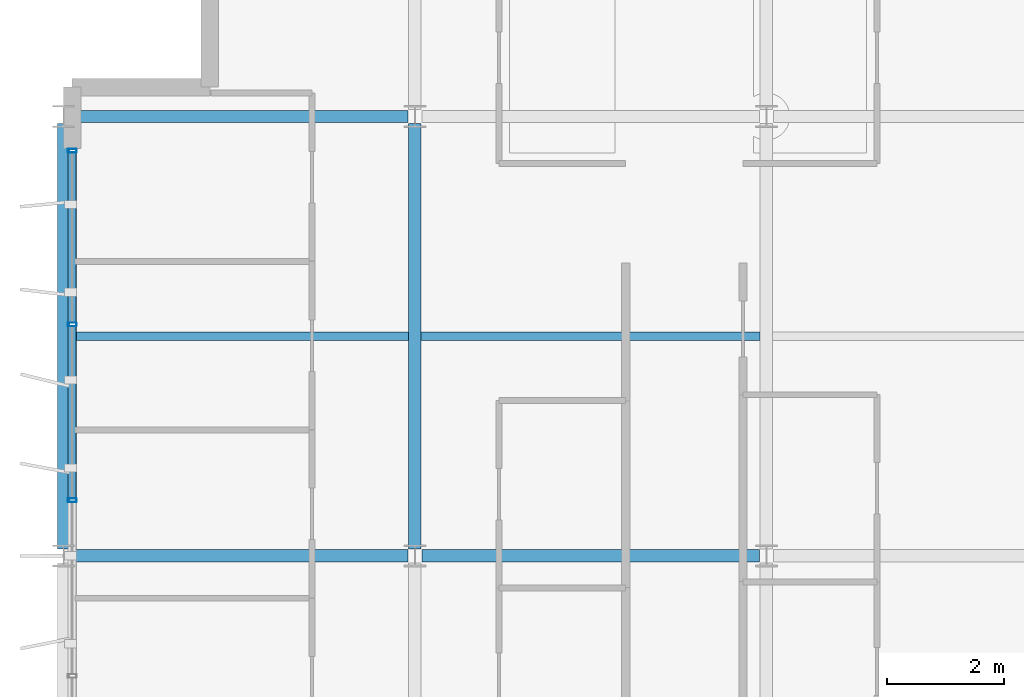
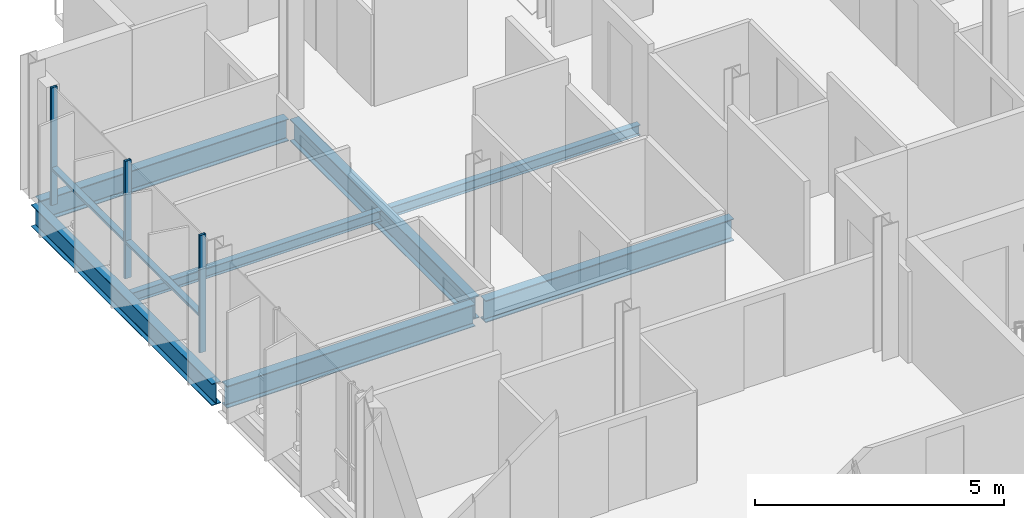
# One storey, part 6 of 30: 7 beams, 5 members, 1 element without a shape of its own.
"""IFC4 building model written with IfcOpenShell, lengths in metres."""

from ifc_helpers import new_model, si_unit, direction, frame, origin, origin_2d, place, context, subcontext, project, spatial, hollow_rectangle, i_section, extrude, material, layer, layer_set, material_profile, profile_set, type_object, element, aggregate, save


model = new_model("IFC4")

# Units and contexts
model_context = context("Model", 3, precision=1e-05, world=origin(), true_north=direction((0.0, 1.0)))
body_context = subcontext(model_context, "Body", "Model", "MODEL_VIEW")
ifc_project = project(units=[si_unit("LENGTHUNIT", "METRE"), si_unit("AREAUNIT", "SQUARE_METRE"), si_unit("VOLUMEUNIT", "CUBIC_METRE"), si_unit("PLANEANGLEUNIT", "RADIAN"), si_unit("MASSUNIT", "GRAM", prefix="KILO")], contexts=[model_context])

# Site, building, storey
site_placement = place(None, origin())
site = spatial("IfcSite", under=ifc_project, at=site_placement, CompositionType="ELEMENT")
building_placement = place(site_placement, origin())
building = spatial("IfcBuilding", under=site, at=building_placement, Name="Brevholm Reach", CompositionType="ELEMENT")
storey_placement = place(building_placement, frame((0.0, 0.0, 211.10009765625)))
storey = spatial("IfcBuildingStorey", under=building, at=storey_placement, Name="L64", CompositionType="ELEMENT", Elevation=211.10009765625)

# Beams
ifc_material_1 = material(Name="Structural Steel S355J2", Category="steel")
ifc_material_profile_1 = material_profile(ifc_material_1, i_section(OverallWidth=0.14599609375, OverallDepth=0.25146484375, WebThickness=0.006103515625, FlangeThickness=0.008544921875, FilletRadius=0.007568359375, at=origin_2d()), Name="UKB 254x146x31")
ifc_profile_set_1 = profile_set([ifc_material_profile_1], Name="Structural Steel S355J2")
beam_type_1 = type_object("IfcBeamType", Name="BM-B254", PredefinedType="BEAM", material=ifc_profile_set_1)
beam_1_placement = place(storey_placement, frame((0.104736328125, 19.75, -0.335693359375), z_axis=(1.0, 0.0, 0.0), x_axis=(0.0, 1.0, 0.0)))
element("IfcBeam", 1, at=beam_1_placement, inside=storey, type_object=beam_type_1, Name="L64 Composite Secondary Floor Beam", PredefinedType="BEAM", context=body_context, shape_type="SweptSolid", body=[
    extrude(i_section(OverallWidth=0.14599609375, OverallDepth=0.25146484375, WebThickness=0.006103515625, FlangeThickness=0.008544921875, FilletRadius=0.007568359375, at=origin_2d()), origin(), (0.0, 0.0, 1.0), 5.789794921875),
])
beam_2_placement = place(storey_placement, frame((6.10546875, 19.75, -0.335693359375), z_axis=(1.0, 0.0, 0.0), x_axis=(0.0, 1.0, 0.0)))
element("IfcBeam", 2, at=beam_2_placement, inside=storey, type_object=beam_type_1, Name="L64 Composite Secondary Floor Beam", PredefinedType="BEAM", context=body_context, shape_type="SweptSolid", body=[
    extrude(i_section(OverallWidth=0.14599609375, OverallDepth=0.25146484375, WebThickness=0.006103515625, FlangeThickness=0.008544921875, FilletRadius=0.007568359375, at=origin_2d()), origin(), (0.0, 0.0, 1.0), 5.7890625),
])
ifc_material_2 = material(Name="Structural Steel S355J2", Category="steel")
ifc_material_profile_2 = material_profile(ifc_material_2, i_section(OverallWidth=0.209228515625, OverallDepth=0.533203125, WebThickness=0.010009765625, FlangeThickness=0.015625, FilletRadius=0.0126953125, at=origin_2d()), Name="UKB 533x210x92")
ifc_profile_set_2 = profile_set([ifc_material_profile_2], Name="Structural Steel S355J2")
beam_type_2 = type_object("IfcBeamType", Name="BM-SP533", PredefinedType="SPANDREL", material=ifc_profile_set_2)
beam_3_placement = place(storey_placement, frame((0.0, 16.1201171875, -0.4765625), z_axis=(0.0, 1.0, 0.0), x_axis=(-1.0, 0.0, 0.0)))
element("IfcBeam", 3, at=beam_3_placement, inside=storey, type_object=beam_type_2, Name="L64 SP-02 Framing Beam", PredefinedType="SPANDREL", context=body_context, shape_type="SweptSolid", body=[
    extrude(i_section(OverallWidth=0.209228515625, OverallDepth=0.533203125, WebThickness=0.010009765625, FlangeThickness=0.015625, FilletRadius=0.0126953125, at=origin_2d()), origin(), (0.0, 0.0, 1.0), 7.259765625),
])
ifc_material_3 = material(Name="Structural Steel S355J2", Category="steel")
ifc_material_profile_3 = material_profile(ifc_material_3, i_section(OverallWidth=0.210693359375, OverallDepth=0.53955078125, WebThickness=0.01171875, FlangeThickness=0.018798828125, FilletRadius=0.0126953125, at=origin_2d()), Name="UKB 533x210x109")
ifc_profile_set_3 = profile_set([ifc_material_profile_3], Name="Structural Steel S355J2")
beam_type_3 = type_object("IfcBeamType", Name="BM-SP539", PredefinedType="SPANDREL", material=ifc_profile_set_3)
for number, where, z_axis, x_axis, name in (
    (4, (0.1201171875, 16.0, -0.479736328125), (1.0, 0.0, 0.0), (0.0, 1.0, 0.0), "L64 SP-01B Framing Beam"),
    (5, (6.1201171875, 16.0, -0.479736328125), (1.0, 0.0, 0.0), (0.0, 1.0, 0.0), "L64 SP-01B Framing Beam"),
    (6, (0.1201171875, 23.5, -0.479736328125), (1.0, 0.0, 0.0), (0.0, 1.0, 0.0), "L64 SP-01B Framing Beam"),
):
    element("IfcBeam", number, at=place(storey_placement, frame(where, z_axis=z_axis, x_axis=x_axis)), inside=storey, type_object=beam_type_3, Name=name, PredefinedType="SPANDREL", context=body_context, shape_type="SweptSolid", body=[
        extrude(i_section(OverallWidth=0.210693359375, OverallDepth=0.53955078125, WebThickness=0.01171875, FlangeThickness=0.018798828125, FilletRadius=0.0126953125, at=origin_2d()), origin(), (0.0, 0.0, 1.0), 5.759765625),
    ])
beam_4_placement = place(storey_placement, frame((6.0, 16.1201171875, -0.479736328125), z_axis=(0.0, 1.0, 0.0), x_axis=(-1.0, 0.0, 0.0)))
element("IfcBeam", 7, at=beam_4_placement, inside=storey, type_object=beam_type_3, Name="L64 SP-01B Framing Beam", PredefinedType="SPANDREL", context=body_context, shape_type="SweptSolid", body=[
    extrude(i_section(OverallWidth=0.210693359375, OverallDepth=0.53955078125, WebThickness=0.01171875, FlangeThickness=0.018798828125, FilletRadius=0.0126953125, at=origin_2d()), origin(), (0.0, 0.0, 1.0), 7.259765625),
])

# Curtain wall, members
ifc_material_4 = material(Name="Dark Anodised Aluminium 6063-T6 and Solar-Control Glass", Category="aluminium")
ifc_layer = layer(ifc_material_4, 0.14990234375)
ifc_layer_set = layer_set([ifc_layer], Name="Dark Anodised Aluminium 6063-T6 and Solar-Control Glass")
curtain_wall_type = type_object("IfcCurtainWallType", Name="CW-01", PredefinedType="NOTDEFINED", material=ifc_layer_set)
curtain_wall_placement = place(storey_placement, origin())
curtain_wall = element("IfcCurtainWall", 8, at=curtain_wall_placement, inside=storey, type_object=curtain_wall_type, Name="L64 Curtain Wall CW-01", PredefinedType="NOTDEFINED")
ifc_material_5 = material(Name="Dark Anodised Aluminium 6063-T6", Category="aluminium")
ifc_material_profile_4 = material_profile(ifc_material_5, hollow_rectangle(XDim=0.06494140625, YDim=0.14990234375, WallThickness=0.0048828125, InnerFilletRadius=0.0048828125, OuterFilletRadius=0.010009765625, at=origin_2d()), Name="RHS 150x65x5")
ifc_profile_set_4 = profile_set([ifc_material_profile_4], Name="Dark Anodised Aluminium 6063-T6")
member_type_1 = type_object("IfcMemberType", Name="CWM-150", PredefinedType="MULLION", material=ifc_profile_set_4)
member_1_placement = place(storey_placement, frame((0.14990234375, 22.91748046875, 0.0), z_axis=(0.0, 0.0, 1.0), x_axis=(0.0, -1.0, 0.0)))
member_1 = element("IfcMember", 9, at=member_1_placement, type_object=member_type_1, Name="CM-150 Mullion 1", PredefinedType="MULLION", context=body_context, shape_type="SweptSolid", body=[
    extrude(hollow_rectangle(XDim=0.06494140625, YDim=0.14990234375, WallThickness=0.0048828125, InnerFilletRadius=0.0048828125, OuterFilletRadius=0.010009765625, at=origin_2d()), origin(), (0.0, 0.0, 1.0), 2.8798828125),
])
member_2_placement = place(storey_placement, frame((0.14990234375, 19.949951171875, 0.0), z_axis=(0.0, 0.0, 1.0), x_axis=(0.0, -1.0, 0.0)))
member_2 = element("IfcMember", 10, at=member_2_placement, type_object=member_type_1, Name="CM-150 Mullion 2", PredefinedType="MULLION", context=body_context, shape_type="SweptSolid", body=[
    extrude(hollow_rectangle(XDim=0.06494140625, YDim=0.14990234375, WallThickness=0.0048828125, InnerFilletRadius=0.0048828125, OuterFilletRadius=0.010009765625, at=origin_2d()), origin(), (0.0, 0.0, 1.0), 2.8798828125),
])
member_3_placement = place(storey_placement, frame((0.14990234375, 16.949951171875, 0.0), z_axis=(0.0, 0.0, 1.0), x_axis=(0.0, -1.0, 0.0)))
member_3 = element("IfcMember", 11, at=member_3_placement, type_object=member_type_1, Name="CM-150 Mullion 3", PredefinedType="MULLION", context=body_context, shape_type="SweptSolid", body=[
    extrude(hollow_rectangle(XDim=0.06494140625, YDim=0.14990234375, WallThickness=0.0048828125, InnerFilletRadius=0.0048828125, OuterFilletRadius=0.010009765625, at=origin_2d()), origin(), (0.0, 0.0, 1.0), 2.8798828125),
])
ifc_material_6 = material(Name="Dark Anodised Aluminium 6063-T6", Category="aluminium")
ifc_material_profile_5 = material_profile(ifc_material_6, hollow_rectangle(XDim=0.06494140625, YDim=0.14990234375, WallThickness=0.0048828125, InnerFilletRadius=0.0048828125, OuterFilletRadius=0.010009765625, at=origin_2d()), Name="RHS 150x65x5")
ifc_profile_set_5 = profile_set([ifc_material_profile_5], Name="Dark Anodised Aluminium 6063-T6")
member_type_2 = type_object("IfcMemberType", Name="CWT-150", PredefinedType="NOTDEFINED", material=ifc_profile_set_5)
member_4_placement = place(storey_placement, frame((0.14990234375, 22.885009765625, 0.89990234375), z_axis=(0.0, -1.0, 0.0), x_axis=(0.0, 0.0, 1.0)))
member_4 = element("IfcMember", 12, at=member_4_placement, type_object=member_type_2, Name="CT-150 Transom 1.1", ObjectType="TRANSOM", PredefinedType="USERDEFINED", context=body_context, shape_type="SweptSolid", body=[
    extrude(hollow_rectangle(XDim=0.06494140625, YDim=0.14990234375, WallThickness=0.0048828125, InnerFilletRadius=0.0048828125, OuterFilletRadius=0.010009765625, at=origin_2d()), origin(), (0.0, 0.0, 1.0), 2.902587890625),
])
member_5_placement = place(storey_placement, frame((0.14990234375, 19.91748046875, 0.89990234375), z_axis=(0.0, -1.0, 0.0), x_axis=(0.0, 0.0, 1.0)))
member_5 = element("IfcMember", 13, at=member_5_placement, type_object=member_type_2, Name="CT-150 Transom 2.1", ObjectType="TRANSOM", PredefinedType="USERDEFINED", context=body_context, shape_type="SweptSolid", body=[
    extrude(hollow_rectangle(XDim=0.06494140625, YDim=0.14990234375, WallThickness=0.0048828125, InnerFilletRadius=0.0048828125, OuterFilletRadius=0.010009765625, at=origin_2d()), origin(), (0.0, 0.0, 1.0), 2.93505859375),
])
aggregate(curtain_wall, [member_1, member_2, member_3, member_4, member_5])

save(model, "model.ifc")
